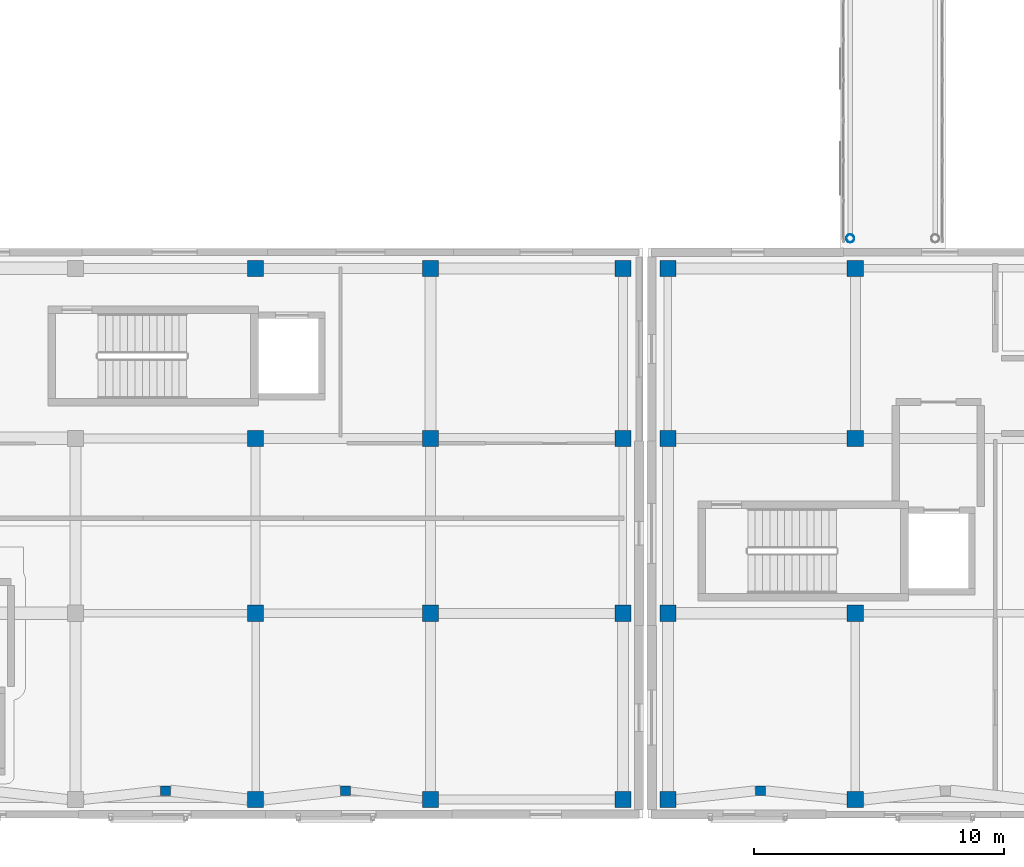
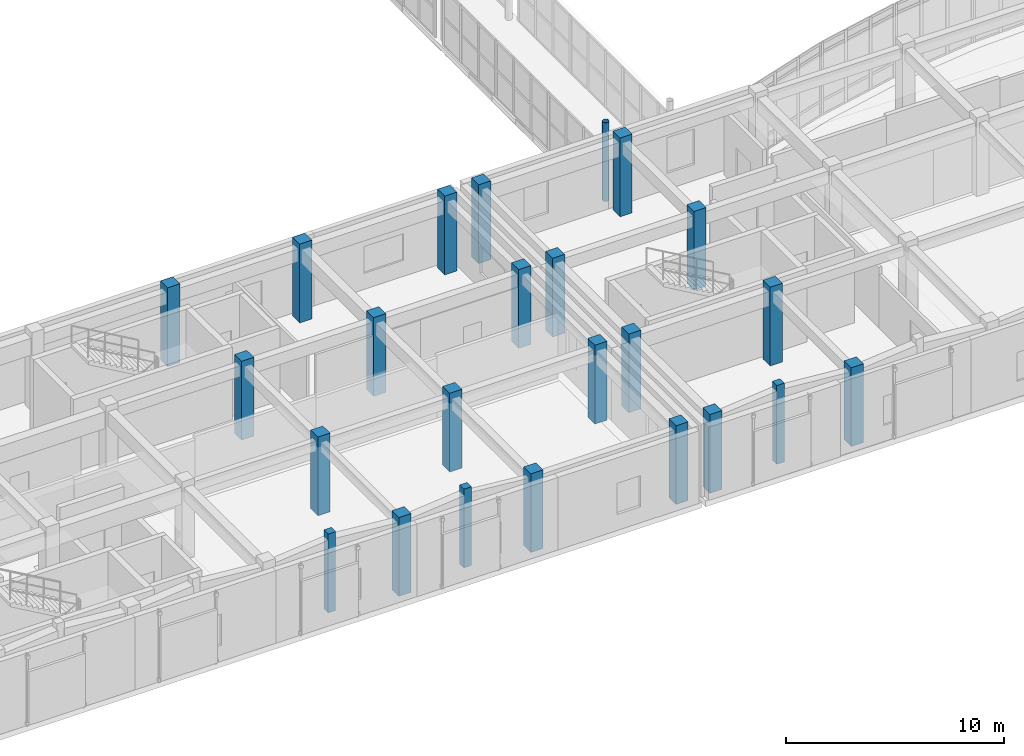
# One storey, part 2 of 142: 24 columns.
"""IFC4 building model written with IfcOpenShell, lengths in metres."""

from ifc_helpers import new_model, si_unit, direction, frame, origin, origin_2d, place, context, subcontext, project, spatial, rectangle, hollow_circle, extrude, material, material_profile, profile_set, type_object, element, save


model = new_model("IFC4")

# Units and contexts
model_context = context("Model", 3, precision=1e-05, world=origin(), true_north=direction((0.0, 1.0)))
body_context = subcontext(model_context, "Body", "Model", "MODEL_VIEW")
ifc_project = project(units=[si_unit("LENGTHUNIT", "METRE"), si_unit("AREAUNIT", "SQUARE_METRE"), si_unit("VOLUMEUNIT", "CUBIC_METRE"), si_unit("PLANEANGLEUNIT", "RADIAN"), si_unit("MASSUNIT", "GRAM", prefix="KILO")], contexts=[model_context])

# Site, building, storey
site_placement = place(None, origin())
site = spatial("IfcSite", under=ifc_project, at=site_placement, CompositionType="ELEMENT")
building_placement = place(site_placement, origin())
building = spatial("IfcBuilding", under=site, at=building_placement, Name="Valcora Specialist Clinic", CompositionType="ELEMENT")
storey_placement = place(building_placement, frame((0.0, 0.0, 5.10009765625)))
storey = spatial("IfcBuildingStorey", under=building, at=storey_placement, Name="L01", CompositionType="ELEMENT", Elevation=5.10009765625)

# Columns
ifc_material_1 = material(Name="Steel ASTM A500 Grade C", Category="steel")
ifc_material_profile_1 = material_profile(ifc_material_1, hollow_circle(Radius=0.162109375, WallThickness=0.011962890625, at=origin_2d()), Name="ST-CHS-324X12")
ifc_profile_set_1 = profile_set([ifc_material_profile_1], Name="Steel ASTM A500 Grade C")
column_type_1 = type_object("IfcColumnType", Name="TY-COL-CHS324", PredefinedType="COLUMN", material=ifc_profile_set_1)
column_placement = place(storey_placement, frame((61.60009765625, 23.199951171875, 0.0), z_axis=(0.0, 0.0, 1.0), x_axis=(1.0, 0.0, 0.0)))
element("IfcColumn", 1, at=column_placement, inside=storey, type_object=column_type_1, Name="Column COL-L01-0961", PredefinedType="COLUMN", context=body_context, shape_type="SweptSolid", body=[
    extrude(hollow_circle(Radius=0.162109375, WallThickness=0.011962890625, at=origin_2d()), origin(), (0.0, 0.0, 1.0), 4.419921875),
])
ifc_material_2 = material(Name="Concrete C40/50", Category="concrete")
ifc_material_profile_2 = material_profile(ifc_material_2, rectangle(XDim=0.64990234375, YDim=0.64990234375, at=origin_2d()), Name="RC-COL-650X650")
ifc_profile_set_2 = profile_set([ifc_material_profile_2], Name="Concrete C40/50")
column_type_2 = type_object("IfcColumnType", Name="TY-COL-RC650", PredefinedType="COLUMN", material=ifc_profile_set_2)
for number, where, z_axis, x_axis, name in (
    (2, (37.800048828125, 0.75, 0.0), (0.0, 0.0, 1.0), (1.0, 0.0, 0.0), "Column COL-L01-0664"),
    (3, (37.800048828125, 8.199951171875, 0.0), (0.0, 0.0, 1.0), (1.0, 0.0, 0.0), "Column COL-L01-0671"),
    (4, (37.800048828125, 15.199951171875, 0.0), (0.0, 0.0, 1.0), (1.0, 0.0, 0.0), "Column COL-L01-0678"),
    (5, (37.800048828125, 22.0, 0.0), (0.0, 0.0, 1.0), (1.0, 0.0, 0.0), "Column COL-L01-0685"),
    (6, (44.800048828125, 0.75, 0.0), (0.0, 0.0, 1.0), (1.0, 0.0, 0.0), "Column COL-L01-0692"),
    (7, (44.800048828125, 8.199951171875, 0.0), (0.0, 0.0, 1.0), (1.0, 0.0, 0.0), "Column COL-L01-0699"),
    (8, (44.800048828125, 15.199951171875, 0.0), (0.0, 0.0, 1.0), (1.0, 0.0, 0.0), "Column COL-L01-0706"),
    (9, (44.800048828125, 22.0, 0.0), (0.0, 0.0, 1.0), (1.0, 0.0, 0.0), "Column COL-L01-0713"),
    (10, (52.5, 0.75, 0.0), (0.0, 0.0, 1.0), (1.0, 0.0, 0.0), "Column COL-L01-0720"),
    (11, (52.5, 8.199951171875, 0.0), (0.0, 0.0, 1.0), (1.0, 0.0, 0.0), "Column COL-L01-0725"),
    (12, (52.5, 15.199951171875, 0.0), (0.0, 0.0, 1.0), (1.0, 0.0, 0.0), "Column COL-L01-0730"),
    (13, (52.5, 22.0, 0.0), (0.0, 0.0, 1.0), (1.0, 0.0, 0.0), "Column COL-L01-0735"),
    (14, (54.300048828125, 0.75, 0.0), (0.0, 0.0, 1.0), (1.0, 0.0, 0.0), "Column COL-L01-0740"),
    (15, (54.300048828125, 8.199951171875, 0.0), (0.0, 0.0, 1.0), (1.0, 0.0, 0.0), "Column COL-L01-0745"),
    (16, (54.300048828125, 15.199951171875, 0.0), (0.0, 0.0, 1.0), (1.0, 0.0, 0.0), "Column COL-L01-0751"),
    (17, (54.300048828125, 22.0, 0.0), (0.0, 0.0, 1.0), (1.0, 0.0, 0.0), "Column COL-L01-0757"),
    (18, (61.800048828125, 0.75, 0.0), (0.0, 0.0, 1.0), (1.0, 0.0, 0.0), "Column COL-L01-0763"),
    (19, (61.800048828125, 8.199951171875, 0.0), (0.0, 0.0, 1.0), (1.0, 0.0, 0.0), "Column COL-L01-0768"),
    (20, (61.800048828125, 15.199951171875, 0.0), (0.0, 0.0, 1.0), (1.0, 0.0, 0.0), "Column COL-L01-0774"),
    (21, (61.800048828125, 22.0, 0.0), (0.0, 0.0, 1.0), (1.0, 0.0, 0.0), "Column COL-L01-0780"),
):
    element("IfcColumn", number, at=place(storey_placement, frame(where, z_axis=z_axis, x_axis=x_axis)), inside=storey, type_object=column_type_2, Name=name, PredefinedType="COLUMN", context=body_context, shape_type="SweptSolid", body=[
        extrude(rectangle(XDim=0.64990234375, YDim=0.64990234375, at=origin_2d()), origin(), (0.0, 0.0, 1.0), 4.419921875),
    ])
ifc_material_profile_3 = material_profile(ifc_material_2, rectangle(XDim=0.39990234375, YDim=0.39990234375, at=origin_2d()), Name="RC-COL-400X400")
ifc_profile_set_3 = profile_set([ifc_material_profile_3], Name="Concrete C40/50")
column_type_3 = type_object("IfcColumnType", Name="TY-PIL-RC400", PredefinedType="PILASTER", material=ifc_profile_set_3)
for number, where, z_axis, x_axis, name in (
    (22, (34.199951171875, 1.10009765625, 0.0), (0.0, 0.0, 1.0), (1.0, 0.0, 0.0), "Column COL-L01-1048"),
    (23, (41.39990234375, 1.10009765625, 0.0), (0.0, 0.0, 1.0), (1.0, 0.0, 0.0), "Column COL-L01-1052"),
    (24, (58.0, 1.10009765625, 0.0), (0.0, 0.0, 1.0), (1.0, 0.0, 0.0), "Column COL-L01-1056"),
):
    element("IfcColumn", number, at=place(storey_placement, frame(where, z_axis=z_axis, x_axis=x_axis)), inside=storey, type_object=column_type_3, Name=name, PredefinedType="PILASTER", context=body_context, shape_type="SweptSolid", body=[
        extrude(rectangle(XDim=0.39990234375, YDim=0.39990234375, at=origin_2d()), origin(), (0.0, 0.0, 1.0), 4.419921875),
    ])

save(model, "model.ifc")
